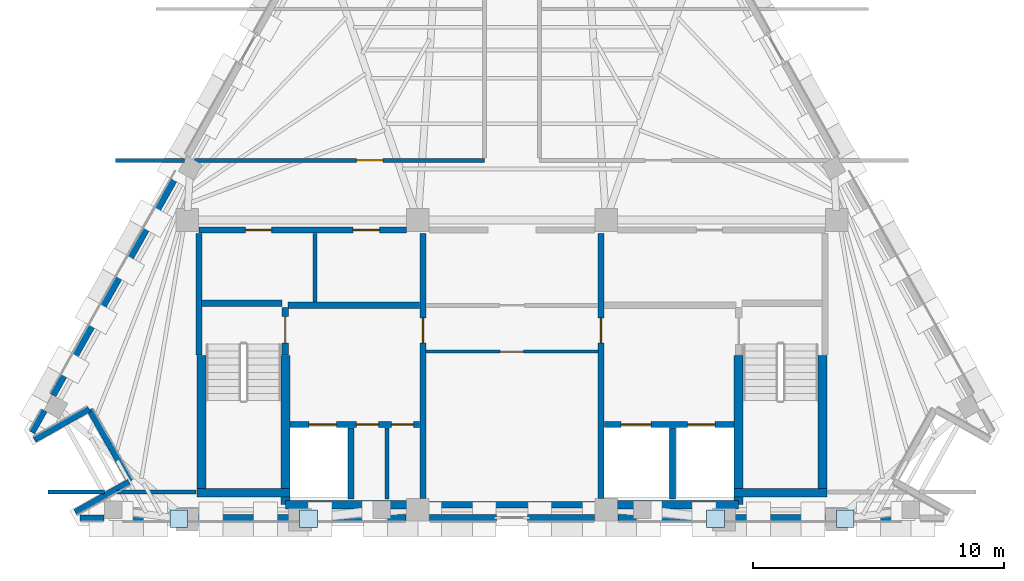
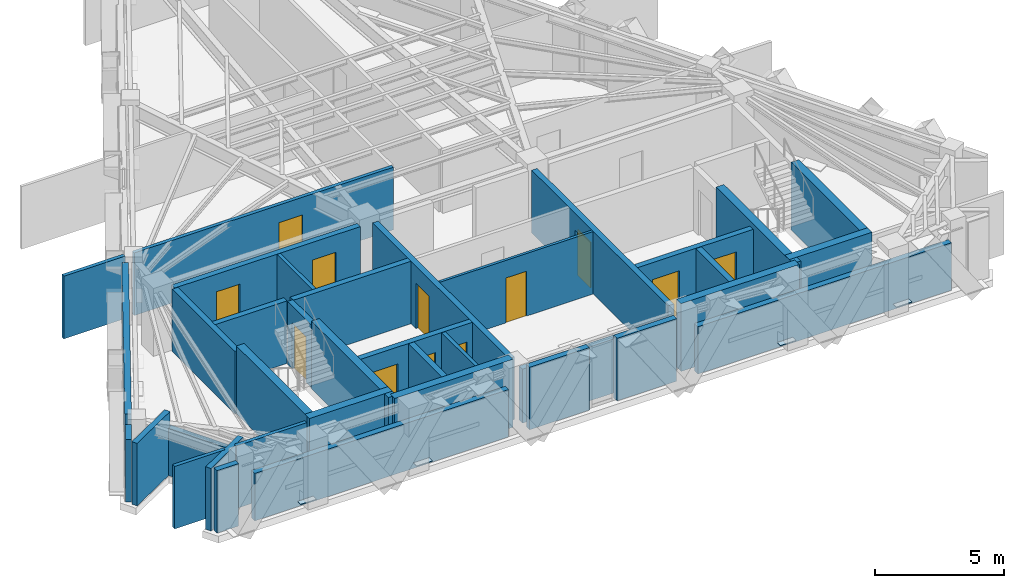
# One storey, part 4 of 7: 37 walls, 12 doors, 4 plates, 12 openings.
"""IFC4 building model written with IfcOpenShell, lengths in metres."""

from ifc_helpers import new_model, si_unit, direction, frame, frame_2d, origin, origin_2d, place, context, subcontext, project, spatial, rectangle, extrude, material, layer, layer_set, type_object, element, fill, save


model = new_model("IFC4")

# Units and contexts
model_context = context("Model", 3, precision=1e-05, world=origin(), true_north=direction((0.0, 1.0)))
body_context = subcontext(model_context, "Body", "Model", "MODEL_VIEW")
ifc_project = project(units=[si_unit("LENGTHUNIT", "METRE"), si_unit("AREAUNIT", "SQUARE_METRE"), si_unit("VOLUMEUNIT", "CUBIC_METRE"), si_unit("PLANEANGLEUNIT", "RADIAN"), si_unit("MASSUNIT", "GRAM", prefix="KILO")], contexts=[model_context])

# Site, building, storey
site_placement = place(None, origin())
site = spatial("IfcSite", under=ifc_project, at=site_placement, CompositionType="ELEMENT")
building_placement = place(site_placement, origin())
building = spatial("IfcBuilding", under=site, at=building_placement, Name="Quenlor Broadcast Tower", CompositionType="ELEMENT")
storey_placement = place(building_placement, frame((0.0, 0.0, 280.5)))
storey = spatial("IfcBuildingStorey", under=building, at=storey_placement, Name="L78", CompositionType="ELEMENT", Elevation=280.5)

# Plates
ifc_material_1 = material(Name="Steel S355", Category="steel")
ifc_layer_1 = layer(ifc_material_1, 0.02490234375)
ifc_layer_set_1 = layer_set([ifc_layer_1], Name="Crown Eaves Transfer Steel S355 Cap Plate 700x700x25")
plate_type = type_object("IfcPlateType", Name="Crown Eaves Transfer Steel S355 Cap Plate 700x700x25", PredefinedType="USERDEFINED", material=ifc_layer_set_1)
for number, where, z_axis, x_axis, name in (
    (1, (-13.286865234375, -16.704345703125, 0.237548828125), (0.0, 0.0, 1.0), (1.0, 0.0, 0.0), "L78 Crown Plant Base Plate CRN1-1"),
    (2, (13.286865234375, -16.704345703125, 0.237548828125), (0.0, 0.0, 1.0), (1.0, 0.0, 0.0), "L78 Crown Plant Base Plate CRN1-2"),
    (3, (-8.112548828125, -16.708740234375, 0.237548828125), (0.0, 0.0, 1.0), (1.0, 0.0, 0.0), "L78 Crown Plant Base Plate CRN1-3"),
    (4, (8.112548828125, -16.708740234375, 0.237548828125), (0.0, 0.0, 1.0), (1.0, 0.0, 0.0), "L78 Crown Plant Base Plate CRN1-4"),
):
    element("IfcPlate", number, at=place(storey_placement, frame(where, z_axis=z_axis, x_axis=x_axis)), inside=storey, type_object=plate_type, Name=name, ObjectType="CAP PLATE", PredefinedType="USERDEFINED", context=body_context, shape_type="SweptSolid", body=[
        extrude(rectangle(XDim=0.699951171875, YDim=0.699951171875, at=origin_2d()), origin(), (0.0, 0.0, 1.0), 0.02490234375),
    ])

# Walls
ifc_material_2 = material(Name="Concrete C50/60", Category="concrete")
ifc_layer_2 = layer(ifc_material_2, 0.35009765625)
ifc_layer_set_2 = layer_set([ifc_layer_2], Name="Core Concrete C50/60 Shear Wall 350")
wall_type_1 = type_object("IfcWallType", Name="Core Concrete C50/60 Shear Wall 350", PredefinedType="SHEAR", material=ifc_layer_set_2)
wall_1_placement = place(storey_placement, frame((-12.550048828125, -15.675048828125, 0.0), z_axis=(0.0, 0.0, 1.0), x_axis=(1.0, 0.0, 0.0)))
element("IfcWall", 5, at=wall_1_placement, inside=storey, type_object=wall_type_1, Name="L78 Core Shear Wall WS-W1", PredefinedType="SHEAR", context=body_context, shape_type="SweptSolid", body=[
    extrude(rectangle(XDim=3.699951171875, YDim=0.35009765625, at=frame_2d((1.85009765625, 0.0))), origin(), (0.0, 0.0, 1.0), 3.199951171875),
])
for number, where, z_axis, x_axis, name in (
    (6, (-9.02490234375, -16.14990234375, 0.0), (0.0, 0.0, 1.0), (1.0, 0.0, 0.0), "L78 Core Shear Wall WS-W2"),
    (7, (3.75, -16.14990234375, 0.0), (0.0, 0.0, 1.0), (1.0, 0.0, 0.0), "L78 Core Shear Wall WS-E1"),
):
    element("IfcWall", number, at=place(storey_placement, frame(where, z_axis=z_axis, x_axis=x_axis)), inside=storey, type_object=wall_type_1, Name=name, PredefinedType="SHEAR", context=body_context, shape_type="SweptSolid", body=[
        extrude(rectangle(XDim=5.27490234375, YDim=0.35009765625, at=frame_2d((2.637451171875, 0.0))), origin(), (0.0, 0.0, 1.0), 3.199951171875),
    ])
wall_2_placement = place(storey_placement, frame((8.85009765625, -15.675048828125, 0.0), z_axis=(0.0, 0.0, 1.0), x_axis=(1.0, 0.0, 0.0)))
element("IfcWall", 8, at=wall_2_placement, inside=storey, type_object=wall_type_1, Name="L78 Core Shear Wall WS-E2", PredefinedType="SHEAR", context=body_context, shape_type="SweptSolid", body=[
    extrude(rectangle(XDim=3.699951171875, YDim=0.35009765625, at=frame_2d((1.85009765625, 0.0))), origin(), (0.0, 0.0, 1.0), 3.199951171875),
])
for number, where, z_axis, x_axis, name in (
    (9, (-12.375, -15.675048828125, 0.0), (0.0, 0.0, 1.0), (0.0, 1.0, 0.0), "L78 Core Shear Wall WF-W"),
    (10, (12.375, -15.675048828125, 0.0), (0.0, 0.0, 1.0), (0.0, 1.0, 0.0), "L78 Core Shear Wall WF-E"),
):
    element("IfcWall", number, at=place(storey_placement, frame(where, z_axis=z_axis, x_axis=x_axis)), inside=storey, type_object=wall_type_1, Name=name, PredefinedType="SHEAR", context=body_context, shape_type="SweptSolid", body=[
        extrude(rectangle(XDim=5.47509765625, YDim=0.35009765625, at=frame_2d((2.737548828125, 0.0))), origin(), (0.0, 0.0, 1.0), 3.199951171875),
    ])
for number, where, z_axis, x_axis, name in (
    (11, (-9.02490234375, -16.14990234375, 0.0), (0.0, 0.0, 1.0), (0.0, 1.0, 0.0), "L78 Core Shear Wall WI-W"),
    (12, (9.02490234375, -16.14990234375, 0.0), (0.0, 0.0, 1.0), (0.0, 1.0, 0.0), "L78 Core Shear Wall WI-E"),
):
    element("IfcWall", number, at=place(storey_placement, frame(where, z_axis=z_axis, x_axis=x_axis)), inside=storey, type_object=wall_type_1, Name=name, PredefinedType="SHEAR", context=body_context, shape_type="SweptSolid", body=[
        extrude(rectangle(XDim=5.949951171875, YDim=0.35009765625, at=frame_2d((2.97509765625, 0.0))), origin(), (0.0, 0.0, 1.0), 3.199951171875),
    ])

# Wall, opening, door
ifc_material_3 = material(Name="Concrete C40/50", Category="concrete")
ifc_layer_3 = layer(ifc_material_3, 0.25)
ifc_layer_set_3 = layer_set([ifc_layer_3], Name="Fire Rated Concrete C40/50 Core Wall 250")
wall_type_2 = type_object("IfcWallType", Name="Fire Rated Concrete C40/50 Core Wall 250", PredefinedType="PARTITIONING", material=ifc_layer_set_3)
wall_3_placement = place(storey_placement, frame((-9.0400390625, -10.179931640625, 0.0), z_axis=(0.0, 0.0, 1.0), x_axis=(0.0, 1.0, 0.0)))
wall_3 = element("IfcWall", 13, at=wall_3_placement, inside=storey, type_object=wall_type_2, Name="L78 Interior Wall CW-ST1-DR", PredefinedType="PARTITIONING", context=body_context, shape_type="SweptSolid", body=[
    extrude(rectangle(XDim=1.89990234375, YDim=0.25, at=frame_2d((0.949951171875, 0.0))), origin(), (0.0, 0.0, 1.0), 2.949951171875),
])
opening_1_placement = place(wall_3_placement, frame((0.47998046875, 0.0, 0.0)))
opening_1 = element("IfcOpeningElement", 14, at=opening_1_placement, cuts=wall_3, Name="Opening FD-1", PredefinedType="OPENING", context=body_context, shape_type="SweptSolid", body=[
    extrude(rectangle(XDim=1.050048828125, YDim=2.14990234375, at=frame_2d((0.52490234375, 1.074951171875))), frame((0.0, 0.135009765625, 0.0), z_axis=(0.0, -1.0, 0.0), x_axis=(1.0, 0.0, 0.0)), (0.0, 0.0, 1.0), 0.27001953125),
])
ifc_material_4 = material(Name="Fire Rated Steel Door Leaf", Category="steel")
door_type_1 = type_object("IfcDoorType", Name="Fire Isolated Stair Door 1050x2150", OperationType="NOTDEFINED", PredefinedType="DOOR", material=ifc_material_4)
door_1_placement = place(opening_1_placement, origin())
door_1 = element("IfcDoor", 15, at=door_1_placement, inside=storey, type_object=door_type_1, Name="L78 Door DR-ST1", OperationType="SINGLE_SWING_LEFT", OverallHeight=2.14990234375, OverallWidth=1.050048828125, PredefinedType="DOOR", context=body_context, shape_type="SweptSolid", body=[
    extrude(rectangle(XDim=1.050048828125, YDim=2.14990234375, at=frame_2d((0.52490234375, 1.074951171875))), frame((0.0, 0.02490234375, 0.0), z_axis=(0.0, -1.0, 0.0), x_axis=(1.0, 0.0, 0.0)), (0.0, 0.0, 1.0), 0.050048828125),
])
fill(opening_1, door_1)

# Walls
wall_4_placement = place(storey_placement, frame((-12.3798828125, -8.1201171875, 0.0), z_axis=(0.0, 0.0, 1.0), x_axis=(1.0, 0.0, 0.0)))
element("IfcWall", 16, at=wall_4_placement, inside=storey, type_object=wall_type_2, Name="L78 Interior Wall CW-ST1-N", PredefinedType="PARTITIONING", context=body_context, shape_type="SweptSolid", body=[
    extrude(rectangle(XDim=3.219970703125, YDim=0.25, at=frame_2d((1.60986328125, 0.0))), origin(), (0.0, 0.0, 1.0), 2.949951171875),
])
wall_5_placement = place(storey_placement, frame((-12.47998046875, -10.179931640625, 0.0), z_axis=(0.0, 0.0, 1.0), x_axis=(0.0, 1.0, 0.0)))
element("IfcWall", 17, at=wall_5_placement, inside=storey, type_object=wall_type_2, Name="L78 Interior Wall CW-ST1-W2", PredefinedType="PARTITIONING", context=body_context, shape_type="SweptSolid", body=[
    extrude(rectangle(XDim=4.83984375, YDim=0.25, at=frame_2d((2.419921875, 0.0))), origin(), (0.0, 0.0, 1.0), 2.949951171875),
])

# Wall, openings, doors
wall_6_placement = place(storey_placement, frame((-8.847900390625, -12.949951171875, 0.0), z_axis=(0.0, 0.0, 1.0), x_axis=(1.0, 0.0, 0.0)))
wall_6 = element("IfcWall", 18, at=wall_6_placement, inside=storey, type_object=wall_type_2, Name="L78 Interior Wall CW-FFW-S", PredefinedType="PARTITIONING", context=body_context, shape_type="SweptSolid", body=[
    extrude(rectangle(XDim=5.16796875, YDim=0.25, at=frame_2d((2.583984375, 0.0))), origin(), (0.0, 0.0, 1.0), 2.949951171875),
])
opening_2_placement = place(wall_6_placement, frame((0.748046875, 0.0, 0.0)))
opening_2 = element("IfcOpeningElement", 19, at=opening_2_placement, cuts=wall_6, Name="Opening LD-FFL-1", PredefinedType="OPENING", context=body_context, shape_type="SweptSolid", body=[
    extrude(rectangle(XDim=1.10009765625, YDim=2.14990234375, at=frame_2d((0.550048828125, 1.074951171875))), frame((0.0, 0.135009765625, 0.0), z_axis=(0.0, -1.0, 0.0), x_axis=(1.0, 0.0, 0.0)), (0.0, 0.0, 1.0), 0.27001953125),
])
opening_3_placement = place(wall_6_placement, frame((2.64794921875, 0.0, 0.0)))
opening_3 = element("IfcOpeningElement", 20, at=opening_3_placement, cuts=wall_6, Name="Opening TD-1", PredefinedType="OPENING", context=body_context, shape_type="SweptSolid", body=[
    extrude(rectangle(XDim=0.8798828125, YDim=2.10009765625, at=frame_2d((0.43994140625, 1.050048828125))), frame((0.0, 0.135009765625, 0.0), z_axis=(0.0, -1.0, 0.0), x_axis=(1.0, 0.0, 0.0)), (0.0, 0.0, 1.0), 0.27001953125),
])
opening_4_placement = place(wall_6_placement, frame((4.048095703125, 0.0, 0.0)))
opening_4 = element("IfcOpeningElement", 21, at=opening_4_placement, cuts=wall_6, Name="Opening TD-1", PredefinedType="OPENING", context=body_context, shape_type="SweptSolid", body=[
    extrude(rectangle(XDim=0.8798828125, YDim=2.10009765625, at=frame_2d((0.43994140625, 1.050048828125))), frame((0.0, 0.135009765625, 0.0), z_axis=(0.0, -1.0, 0.0), x_axis=(1.0, 0.0, 0.0)), (0.0, 0.0, 1.0), 0.27001953125),
])
ifc_material_5 = material(Name="Brushed Stainless Steel", Category="steel")
door_type_2 = type_object("IfcDoorType", Name="Emergency Lift Sliding Landing Door 1100x2150", OperationType="NOTDEFINED", PredefinedType="DOOR", material=ifc_material_5)
door_2_placement = place(opening_2_placement, origin())
door_2 = element("IfcDoor", 22, at=door_2_placement, inside=storey, type_object=door_type_2, Name="L78 Door LD-FFL-1", OperationType="SLIDING_TO_LEFT", OverallHeight=2.14990234375, OverallWidth=1.10009765625, PredefinedType="DOOR", context=body_context, shape_type="SweptSolid", body=[
    extrude(rectangle(XDim=1.10009765625, YDim=2.14990234375, at=frame_2d((0.550048828125, 1.074951171875))), frame((0.0, 0.02490234375, 0.0), z_axis=(0.0, -1.0, 0.0), x_axis=(1.0, 0.0, 0.0)), (0.0, 0.0, 1.0), 0.050048828125),
])
fill(opening_2, door_2)
ifc_material_6 = material(Name="Fire Rated Steel Access Panel", Category="steel")
door_type_3 = type_object("IfcDoorType", Name="Riser Shaft Rated Access Trapdoor 880x2100", OperationType="NOTDEFINED", PredefinedType="TRAPDOOR", material=ifc_material_6)
door_3_placement = place(opening_3_placement, origin())
door_3 = element("IfcDoor", 23, at=door_3_placement, inside=storey, type_object=door_type_3, Name="L78 Door DR-ELR", OperationType="SINGLE_SWING_LEFT", OverallHeight=2.10009765625, OverallWidth=0.8798828125, PredefinedType="TRAPDOOR", context=body_context, shape_type="SweptSolid", body=[
    extrude(rectangle(XDim=0.8798828125, YDim=2.10009765625, at=frame_2d((0.43994140625, 1.050048828125))), frame((0.0, 0.02490234375, 0.0), z_axis=(0.0, -1.0, 0.0), x_axis=(1.0, 0.0, 0.0)), (0.0, 0.0, 1.0), 0.050048828125),
])
fill(opening_3, door_3)
door_4_placement = place(opening_4_placement, origin())
door_4 = element("IfcDoor", 24, at=door_4_placement, inside=storey, type_object=door_type_3, Name="L78 Door DR-CMR", OperationType="SINGLE_SWING_RIGHT", OverallHeight=2.10009765625, OverallWidth=0.8798828125, PredefinedType="TRAPDOOR", context=body_context, shape_type="SweptSolid", body=[
    extrude(rectangle(XDim=0.8798828125, YDim=2.10009765625, at=frame_2d((0.43994140625, 1.050048828125))), frame((0.0, 0.02490234375, 0.0), z_axis=(0.0, -1.0, 0.0), x_axis=(1.0, 0.0, 0.0)), (0.0, 0.0, 1.0), 0.050048828125),
])
fill(opening_4, door_4)

wall_7_placement = place(storey_placement, frame((3.679931640625, -12.949951171875, 0.0), z_axis=(0.0, 0.0, 1.0), x_axis=(1.0, 0.0, 0.0)))
wall_7 = element("IfcWall", 25, at=wall_7_placement, inside=storey, type_object=wall_type_2, Name="L78 Interior Wall CW-FFE-S", PredefinedType="PARTITIONING", context=body_context, shape_type="SweptSolid", body=[
    extrude(rectangle(XDim=5.16796875, YDim=0.25, at=frame_2d((2.583984375, 0.0))), origin(), (0.0, 0.0, 1.0), 2.949951171875),
])
opening_5_placement = place(wall_7_placement, frame((3.320068359375, 0.0, 0.0)))
opening_5 = element("IfcOpeningElement", 26, at=opening_5_placement, cuts=wall_7, Name="Opening LD-FFL-2", PredefinedType="OPENING", context=body_context, shape_type="SweptSolid", body=[
    extrude(rectangle(XDim=1.10009765625, YDim=2.14990234375, at=frame_2d((0.550048828125, 1.074951171875))), frame((0.0, 0.135009765625, 0.0), z_axis=(0.0, -1.0, 0.0), x_axis=(1.0, 0.0, 0.0)), (0.0, 0.0, 1.0), 0.27001953125),
])
opening_6_placement = place(wall_7_placement, frame((0.669921875, 0.0, 0.0)))
opening_6 = element("IfcOpeningElement", 27, at=opening_6_placement, cuts=wall_7, Name="Opening LD-SVL-1", PredefinedType="OPENING", context=body_context, shape_type="SweptSolid", body=[
    extrude(rectangle(XDim=1.199951171875, YDim=2.14990234375, at=frame_2d((0.60009765625, 1.074951171875))), frame((0.0, 0.135009765625, 0.0), z_axis=(0.0, -1.0, 0.0), x_axis=(1.0, 0.0, 0.0)), (0.0, 0.0, 1.0), 0.27001953125),
])
door_5_placement = place(opening_5_placement, origin())
door_5 = element("IfcDoor", 28, at=door_5_placement, inside=storey, type_object=door_type_2, Name="L78 Door LD-FFL-2", OperationType="SLIDING_TO_RIGHT", OverallHeight=2.14990234375, OverallWidth=1.10009765625, PredefinedType="DOOR", context=body_context, shape_type="SweptSolid", body=[
    extrude(rectangle(XDim=1.10009765625, YDim=2.14990234375, at=frame_2d((0.550048828125, 1.074951171875))), frame((0.0, 0.02490234375, 0.0), z_axis=(0.0, -1.0, 0.0), x_axis=(1.0, 0.0, 0.0)), (0.0, 0.0, 1.0), 0.050048828125),
])
fill(opening_5, door_5)
ifc_material_7 = material(Name="Brushed Stainless Steel", Category="steel")
door_type_4 = type_object("IfcDoorType", Name="Goods Lift Sliding Landing Door 1200x2150", OperationType="NOTDEFINED", PredefinedType="DOOR", material=ifc_material_7)
door_6_placement = place(opening_6_placement, origin())
door_6 = element("IfcDoor", 29, at=door_6_placement, inside=storey, type_object=door_type_4, Name="L78 Door LD-SVL-1", OperationType="SLIDING_TO_LEFT", OverallHeight=2.14990234375, OverallWidth=1.199951171875, PredefinedType="DOOR", context=body_context, shape_type="SweptSolid", body=[
    extrude(rectangle(XDim=1.199951171875, YDim=2.14990234375, at=frame_2d((0.60009765625, 1.074951171875))), frame((0.0, 0.02490234375, 0.0), z_axis=(0.0, -1.0, 0.0), x_axis=(1.0, 0.0, 0.0)), (0.0, 0.0, 1.0), 0.050048828125),
])
fill(opening_6, door_6)

# Walls
for number, where, z_axis, x_axis, name in (
    (30, (-6.419921875, -15.919921875, 0.0), (0.0, 0.0, 1.0), (0.0, 1.0, 0.0), "L78 Interior Wall CW-FF1-E"),
    (31, (6.39990234375, -15.919921875, 0.0), (0.0, 0.0, 1.0), (0.0, 1.0, 0.0), "L78 Interior Wall CW-SV1-E"),
):
    element("IfcWall", number, at=place(storey_placement, frame(where, z_axis=z_axis, x_axis=x_axis)), inside=storey, type_object=wall_type_2, Name=name, PredefinedType="PARTITIONING", context=body_context, shape_type="SweptSolid", body=[
        extrude(rectangle(XDim=2.829833984375, YDim=0.25, at=frame_2d((1.4150390625, 0.0))), origin(), (0.0, 0.0, 1.0), 2.949951171875),
    ])
wall_8_placement = place(storey_placement, frame((-8.919921875, -8.199951171875, 0.0), z_axis=(0.0, 0.0, 1.0), x_axis=(1.0, 0.0, 0.0)))
element("IfcWall", 32, at=wall_8_placement, inside=storey, type_object=wall_type_2, Name="L78 Interior Wall CW-FFW-N", PredefinedType="PARTITIONING", context=body_context, shape_type="SweptSolid", body=[
    extrude(rectangle(XDim=5.239990234375, YDim=0.25, at=frame_2d((2.6201171875, 0.0))), origin(), (0.0, 0.0, 1.0), 2.949951171875),
])

# Wall, opening, door
wall_9_placement = place(storey_placement, frame((-3.550048828125, -15.89794921875, 0.0), z_axis=(0.0, 0.0, 1.0), x_axis=(0.0, 1.0, 0.0)))
wall_9 = element("IfcWall", 33, at=wall_9_placement, inside=storey, type_object=wall_type_2, Name="L78 Interior Wall CW-FFW-E", PredefinedType="PARTITIONING", context=body_context, shape_type="SweptSolid", body=[
    extrude(rectangle(XDim=10.557861328125, YDim=0.25, at=frame_2d((5.27880859375, 0.0))), origin(), (0.0, 0.0, 1.0), 2.949951171875),
])
opening_7_placement = place(wall_9_placement, frame((6.197998046875, 0.0, 0.0)))
opening_7 = element("IfcOpeningElement", 34, at=opening_7_placement, cuts=wall_9, Name="Opening FD-2", PredefinedType="OPENING", context=body_context, shape_type="SweptSolid", body=[
    extrude(rectangle(XDim=1.0, YDim=2.14990234375, at=frame_2d((0.5, 1.074951171875))), frame((0.0, 0.135009765625, 0.0), z_axis=(0.0, -1.0, 0.0), x_axis=(1.0, 0.0, 0.0)), (0.0, 0.0, 1.0), 0.27001953125),
])
ifc_material_8 = material(Name="Fire Rated Glazed Steel Door", Category="steel")
door_type_5 = type_object("IfcDoorType", Name="Firefighting Lobby Smoke Door 1000x2150", OperationType="NOTDEFINED", PredefinedType="DOOR", material=ifc_material_8)
door_7_placement = place(opening_7_placement, origin())
door_7 = element("IfcDoor", 35, at=door_7_placement, inside=storey, type_object=door_type_5, Name="L78 Door DR-FFLW", OperationType="SINGLE_SWING_RIGHT", OverallHeight=2.14990234375, OverallWidth=1.0, PredefinedType="DOOR", context=body_context, shape_type="SweptSolid", body=[
    extrude(rectangle(XDim=1.0, YDim=2.14990234375, at=frame_2d((0.5, 1.074951171875))), frame((0.0, 0.02490234375, 0.0), z_axis=(0.0, -1.0, 0.0), x_axis=(1.0, 0.0, 0.0)), (0.0, 0.0, 1.0), 0.050048828125),
])
fill(opening_7, door_7)

wall_10_placement = place(storey_placement, frame((3.550048828125, -15.89794921875, 0.0), z_axis=(0.0, 0.0, 1.0), x_axis=(0.0, 1.0, 0.0)))
wall_10 = element("IfcWall", 36, at=wall_10_placement, inside=storey, type_object=wall_type_2, Name="L78 Interior Wall CW-FFE-W", PredefinedType="PARTITIONING", context=body_context, shape_type="SweptSolid", body=[
    extrude(rectangle(XDim=10.557861328125, YDim=0.25, at=frame_2d((5.27880859375, 0.0))), origin(), (0.0, 0.0, 1.0), 2.949951171875),
])
opening_8_placement = place(wall_10_placement, frame((6.197998046875, 0.0, 0.0)))
opening_8 = element("IfcOpeningElement", 37, at=opening_8_placement, cuts=wall_10, Name="Opening FD-2", PredefinedType="OPENING", context=body_context, shape_type="SweptSolid", body=[
    extrude(rectangle(XDim=1.0, YDim=2.14990234375, at=frame_2d((0.5, 1.074951171875))), frame((0.0, 0.135009765625, 0.0), z_axis=(0.0, -1.0, 0.0), x_axis=(1.0, 0.0, 0.0)), (0.0, 0.0, 1.0), 0.27001953125),
])
door_8_placement = place(opening_8_placement, origin())
door_8 = element("IfcDoor", 38, at=door_8_placement, inside=storey, type_object=door_type_5, Name="L78 Door DR-FFLE", OperationType="SINGLE_SWING_LEFT", OverallHeight=2.14990234375, OverallWidth=1.0, PredefinedType="DOOR", context=body_context, shape_type="SweptSolid", body=[
    extrude(rectangle(XDim=1.0, YDim=2.14990234375, at=frame_2d((0.5, 1.074951171875))), frame((0.0, 0.02490234375, 0.0), z_axis=(0.0, -1.0, 0.0), x_axis=(1.0, 0.0, 0.0)), (0.0, 0.0, 1.0), 0.050048828125),
])
fill(opening_8, door_8)

# Wall, openings, doors
wall_11_placement = place(storey_placement, frame((-12.47998046875, -5.199951171875, 0.0), z_axis=(0.0, 0.0, 1.0), x_axis=(1.0, 0.0, 0.0)))
wall_11 = element("IfcWall", 39, at=wall_11_placement, inside=storey, type_object=wall_type_2, Name="L78 Interior Wall CW-N-W", PredefinedType="PARTITIONING", context=body_context, shape_type="SweptSolid", body=[
    extrude(rectangle(XDim=8.278076171875, YDim=0.25, at=frame_2d((4.13916015625, 0.0))), origin(), (0.0, 0.0, 1.0), 2.949951171875),
])
opening_9_placement = place(wall_11_placement, frame((1.85009765625, 0.0, 0.0)))
opening_9 = element("IfcOpeningElement", 40, at=opening_9_placement, cuts=wall_11, Name="Opening FD-3", PredefinedType="OPENING", context=body_context, shape_type="SweptSolid", body=[
    extrude(rectangle(XDim=1.050048828125, YDim=2.1201171875, at=frame_2d((0.52490234375, 1.06005859375))), frame((0.0, 0.135009765625, 0.0), z_axis=(0.0, -1.0, 0.0), x_axis=(1.0, 0.0, 0.0)), (0.0, 0.0, 1.0), 0.27001953125),
])
opening_10_placement = place(wall_11_placement, frame((6.14990234375, 0.0, 0.0)))
opening_10 = element("IfcOpeningElement", 41, at=opening_10_placement, cuts=wall_11, Name="Opening FD-3", PredefinedType="OPENING", context=body_context, shape_type="SweptSolid", body=[
    extrude(rectangle(XDim=1.050048828125, YDim=2.1201171875, at=frame_2d((0.52490234375, 1.06005859375))), frame((0.0, 0.135009765625, 0.0), z_axis=(0.0, -1.0, 0.0), x_axis=(1.0, 0.0, 0.0)), (0.0, 0.0, 1.0), 0.27001953125),
])
ifc_material_9 = material(Name="Galvanised Fire Steel Leaf", Category="steel")
door_type_6 = type_object("IfcDoorType", Name="Plant Room Fire Rated Door 1050x2120", OperationType="NOTDEFINED", PredefinedType="DOOR", material=ifc_material_9)
door_9_placement = place(opening_9_placement, origin())
door_9 = element("IfcDoor", 42, at=door_9_placement, inside=storey, type_object=door_type_6, Name="L78 Door DR-RCL1", OperationType="SINGLE_SWING_LEFT", OverallHeight=2.1201171875, OverallWidth=1.050048828125, PredefinedType="DOOR", context=body_context, shape_type="SweptSolid", body=[
    extrude(rectangle(XDim=1.050048828125, YDim=2.1201171875, at=frame_2d((0.52490234375, 1.06005859375))), frame((0.0, 0.02490234375, 0.0), z_axis=(0.0, -1.0, 0.0), x_axis=(1.0, 0.0, 0.0)), (0.0, 0.0, 1.0), 0.050048828125),
])
fill(opening_9, door_9)
door_10_placement = place(opening_10_placement, origin())
door_10 = element("IfcDoor", 43, at=door_10_placement, inside=storey, type_object=door_type_6, Name="L78 Door DR-RCL2", OperationType="SINGLE_SWING_RIGHT", OverallHeight=2.1201171875, OverallWidth=1.050048828125, PredefinedType="DOOR", context=body_context, shape_type="SweptSolid", body=[
    extrude(rectangle(XDim=1.050048828125, YDim=2.1201171875, at=frame_2d((0.52490234375, 1.06005859375))), frame((0.0, 0.02490234375, 0.0), z_axis=(0.0, -1.0, 0.0), x_axis=(1.0, 0.0, 0.0)), (0.0, 0.0, 1.0), 0.050048828125),
])
fill(opening_10, door_10)

# Walls
wall_12_placement = place(storey_placement, frame((-3.298095703125, -16.14990234375, 0.0), z_axis=(0.0, 0.0, 1.0), x_axis=(1.0, 0.0, 0.0)))
element("IfcWall", 44, at=wall_12_placement, inside=storey, type_object=wall_type_2, Name="L78 Interior Wall CW-MS-S", PredefinedType="PARTITIONING", context=body_context, shape_type="SweptSolid", body=[
    extrude(rectangle(XDim=6.59619140625, YDim=0.25, at=frame_2d((3.298095703125, 0.0))), origin(), (0.0, 0.0, 1.0), 2.543701171875),
])
ifc_material_10 = material(Name="Gypsum Fireboard Partition", Category="other")
ifc_layer_4 = layer(ifc_material_10, 0.159912109375)
ifc_layer_set_4 = layer_set([ifc_layer_4], Name="Fire Rated Shaft and Corridor Partition 160")
wall_type_3 = type_object("IfcWallType", Name="Fire Rated Shaft and Corridor Partition 160", PredefinedType="PARTITIONING", material=ifc_layer_set_4)
wall_13_placement = place(storey_placement, frame((-4.97998046875, -15.919921875, 0.0), z_axis=(0.0, 0.0, 1.0), x_axis=(0.0, 1.0, 0.0)))
element("IfcWall", 45, at=wall_13_placement, inside=storey, type_object=wall_type_3, Name="L78 Interior Wall CW-ELR-E", PredefinedType="PARTITIONING", context=body_context, shape_type="SweptSolid", body=[
    extrude(rectangle(XDim=2.829833984375, YDim=0.159912109375, at=frame_2d((1.4150390625, 0.0))), origin(), (0.0, 0.0, 1.0), 2.949951171875),
])
wall_14_placement = place(storey_placement, frame((-7.85009765625, -8.072998046875, 0.0), z_axis=(0.0, 0.0, 1.0), x_axis=(0.0, 1.0, 0.0)))
element("IfcWall", 46, at=wall_14_placement, inside=storey, type_object=wall_type_3, Name="L78 Interior Wall CW-RCL-MID", PredefinedType="PARTITIONING", context=body_context, shape_type="SweptSolid", body=[
    extrude(rectangle(XDim=2.73291015625, YDim=0.159912109375, at=frame_2d((1.366455078125, 0.0))), origin(), (0.0, 0.0, 1.0), 2.949951171875),
])
wall_15_placement = place(storey_placement, frame((-18.5, -15.64990234375, 0.0), z_axis=(0.0, 0.0, 1.0), x_axis=(1.0, 0.0, 0.0)))
element("IfcWall", 47, at=wall_15_placement, inside=storey, type_object=wall_type_3, Name="L78 Interior Wall PW-PL-SBOTW", PredefinedType="PARTITIONING", context=body_context, shape_type="SweptSolid", body=[
    extrude(rectangle(XDim=2.259521484375, YDim=0.159912109375, at=frame_2d((1.1298828125, 0.0))), origin(), (0.0, 0.0, 1.0), 2.949951171875),
])
wall_16_placement = place(storey_placement, frame((-15.742919921875, -15.64990234375, 0.0), z_axis=(0.0, 0.0, 1.0), x_axis=(1.0, 0.0, 0.0)))
element("IfcWall", 48, at=wall_16_placement, inside=storey, type_object=wall_type_3, Name="L78 Interior Wall PW-PL-SBOTWS2", PredefinedType="PARTITIONING", context=body_context, shape_type="SweptSolid", body=[
    extrude(rectangle(XDim=3.142822265625, YDim=0.159912109375, at=frame_2d((1.5712890625, 0.0))), origin(), (0.0, 0.0, 1.0), 2.949951171875),
])
wall_17_placement = place(storey_placement, frame((-15.800048828125, -2.419921875, 0.0), z_axis=(0.0, 0.0, 1.0), x_axis=(1.0, 0.0, 0.0)))
element("IfcWall", 49, at=wall_17_placement, inside=storey, type_object=wall_type_3, Name="L78 Interior Wall PW-PL-HW", PredefinedType="PARTITIONING", context=body_context, shape_type="SweptSolid", body=[
    extrude(rectangle(XDim=2.7431640625, YDim=0.159912109375, at=frame_2d((1.37158203125, 0.0))), origin(), (0.0, 0.0, 1.0), 2.949951171875),
])

# Wall, opening, door
wall_18_placement = place(storey_placement, frame((-12.65283203125, -2.419921875, 0.0), z_axis=(0.0, 0.0, 1.0), x_axis=(1.0, 0.0, 0.0)))
wall_18 = element("IfcWall", 50, at=wall_18_placement, inside=storey, type_object=wall_type_3, Name="L78 Interior Wall PW-PL-HWS2", PredefinedType="PARTITIONING", context=body_context, shape_type="SweptSolid", body=[
    extrude(rectangle(XDim=11.552734375, YDim=0.159912109375, at=frame_2d((5.7763671875, 0.0))), origin(), (0.0, 0.0, 1.0), 2.949951171875),
])
opening_11_placement = place(wall_18_placement, frame((6.452880859375, 0.0, 0.0)))
opening_11 = element("IfcOpeningElement", 51, at=opening_11_placement, cuts=wall_18, Name="Opening FD-3", PredefinedType="OPENING", context=body_context, shape_type="SweptSolid", body=[
    extrude(rectangle(XDim=1.050048828125, YDim=2.1201171875, at=frame_2d((0.52490234375, 1.06005859375))), frame((0.0, 0.08984375, 0.0), z_axis=(0.0, -1.0, 0.0), x_axis=(1.0, 0.0, 0.0)), (0.0, 0.0, 1.0), 0.179931640625),
])
door_11_placement = place(opening_11_placement, origin())
door_11 = element("IfcDoor", 52, at=door_11_placement, inside=storey, type_object=door_type_6, Name="L78 Door DR-PLT1", OperationType="SINGLE_SWING_LEFT", OverallHeight=2.1201171875, OverallWidth=1.050048828125, PredefinedType="DOOR", context=body_context, shape_type="SweptSolid", body=[
    extrude(rectangle(XDim=1.050048828125, YDim=2.1201171875, at=frame_2d((0.52490234375, 1.06005859375))), frame((0.0, 0.02490234375, 0.0), z_axis=(0.0, -1.0, 0.0), x_axis=(1.0, 0.0, 0.0)), (0.0, 0.0, 1.0), 0.050048828125),
])
fill(opening_11, door_11)

ifc_material_11 = material(Name="Gypsum Plasterboard Partition", Category="other")
ifc_layer_5 = layer(ifc_material_11, 0.1201171875)
ifc_layer_set_5 = layer_set([ifc_layer_5], Name="Standard Office Partition 120")
wall_type_4 = type_object("IfcWallType", Name="Standard Office Partition 120", PredefinedType="PARTITIONING", material=ifc_layer_set_5)
wall_19_placement = place(storey_placement, frame((-3.419921875, -10.050048828125, 0.0), z_axis=(0.0, 0.0, 1.0), x_axis=(1.0, 0.0, 0.0)))
wall_19 = element("IfcWall", 53, at=wall_19_placement, inside=storey, type_object=wall_type_4, Name="L78 Interior Wall CW-MS-N", PredefinedType="PARTITIONING", context=body_context, shape_type="SweptSolid", body=[
    extrude(rectangle(XDim=6.83984375, YDim=0.1201171875, at=frame_2d((3.419921875, 0.0))), origin(), (0.0, 0.0, 1.0), 2.949951171875),
])
opening_12_placement = place(wall_19_placement, frame((2.949951171875, 0.0, 0.0)))
opening_12 = element("IfcOpeningElement", 54, at=opening_12_placement, cuts=wall_19, Name="Opening ID-1", PredefinedType="OPENING", context=body_context, shape_type="SweptSolid", body=[
    extrude(rectangle(XDim=0.919921875, YDim=2.1201171875, at=frame_2d((0.4599609375, 1.06005859375))), frame((0.0, 0.070068359375, 0.0), z_axis=(0.0, -1.0, 0.0), x_axis=(1.0, 0.0, 0.0)), (0.0, 0.0, 1.0), 0.14013671875),
])
ifc_material_12 = material(Name="Solid Core Timber Oak", Category="wood")
door_type_7 = type_object("IfcDoorType", Name="Single Leaf Timber Office Door 920x2120", OperationType="NOTDEFINED", PredefinedType="DOOR", material=ifc_material_12)
door_12_placement = place(opening_12_placement, origin())
door_12 = element("IfcDoor", 55, at=door_12_placement, inside=storey, type_object=door_type_7, Name="L78 Door DR-RCMA", OperationType="SINGLE_SWING_LEFT", OverallHeight=2.1201171875, OverallWidth=0.919921875, PredefinedType="DOOR", context=body_context, shape_type="SweptSolid", body=[
    extrude(rectangle(XDim=0.919921875, YDim=2.1201171875, at=frame_2d((0.4599609375, 1.06005859375))), frame((0.0, 0.02490234375, 0.0), z_axis=(0.0, -1.0, 0.0), x_axis=(1.0, 0.0, 0.0)), (0.0, 0.0, 1.0), 0.050048828125),
])
fill(opening_12, door_12)

# Walls
ifc_material_13 = material(Name="Precast concrete C40/50", Category="concrete")
ifc_layer_6 = layer(ifc_material_13, 0.239990234375)
ifc_layer_set_6 = layer_set([ifc_layer_6], Name="Terrace Threshold Precast Concrete C40/50 Wall 240")
wall_type_5 = type_object("IfcWallType", Name="Terrace Threshold Precast Concrete C40/50 Wall 240", PredefinedType="STANDARD", material=ifc_layer_set_6)
wall_20_placement = place(storey_placement, frame((-16.252685546875, -16.675048828125, 0.0), z_axis=(0.0, 0.0, 1.0), x_axis=(-1.0, 0.0, 0.0)))
element("IfcWall", 56, at=wall_20_placement, inside=storey, type_object=wall_type_5, Name="L78 Exterior Wall L78-SHD-SS1", PredefinedType="STANDARD", context=body_context, shape_type="SweptSolid", body=[
    extrude(rectangle(XDim=0.96728515625, YDim=0.239990234375, at=frame_2d((0.483642578125, 0.0))), origin(), (0.0, 0.0, 1.0), 2.949951171875),
])
wall_21_placement = place(storey_placement, frame((-19.127197265625, -13.26708984375, 0.0), z_axis=(0.0, 0.0, 1.0), x_axis=(0.490261239633, 0.871575537125, 0.0)))
element("IfcWall", 57, at=wall_21_placement, inside=storey, type_object=wall_type_5, Name="L78 Exterior Wall L78-SHD-NWS0", PredefinedType="STANDARD", context=body_context, shape_type="SweptSolid", body=[
    extrude(rectangle(XDim=0.994873046875, YDim=0.239990234375, at=frame_2d((0.49755859375, 0.0))), origin(), (0.0, 0.0, 1.0), 2.949951171875),
])
wall_22_placement = place(storey_placement, frame((-19.033447265625, -13.556396484375, 0.0), z_axis=(0.0, 0.0, 1.0), x_axis=(0.871588577066, 0.490238056792, 0.0)))
element("IfcWall", 58, at=wall_22_placement, inside=storey, type_object=wall_type_5, Name="L78 Exterior Wall L78-CNR-13", PredefinedType="STANDARD", context=body_context, shape_type="SweptSolid", body=[
    extrude(rectangle(XDim=2.5, YDim=0.239990234375, at=frame_2d((1.25, 0.0))), origin(), (0.0, 0.0, 1.0), 2.949951171875),
])
wall_23_placement = place(storey_placement, frame((-16.8349609375, -12.36572265625, 0.0), z_axis=(0.0, 0.0, 1.0), x_axis=(0.490293083368, -0.871557624258, 0.0)))
element("IfcWall", 59, at=wall_23_placement, inside=storey, type_object=wall_type_5, Name="L78 Exterior Wall L78-CNR-14", PredefinedType="STANDARD", context=body_context, shape_type="SweptSolid", body=[
    extrude(rectangle(XDim=3.276123046875, YDim=0.239990234375, at=frame_2d((1.63818359375, 0.0))), origin(), (0.0, 0.0, 1.0), 2.23388671875),
])
wall_24_placement = place(storey_placement, frame((-15.263671875, -15.240478515625, 0.0), z_axis=(0.0, 0.0, 1.0), x_axis=(-0.87157023615, -0.490270663468, 0.0)))
element("IfcWall", 60, at=wall_24_placement, inside=storey, type_object=wall_type_5, Name="L78 Exterior Wall L78-CNR-15", PredefinedType="STANDARD", context=body_context, shape_type="SweptSolid", body=[
    extrude(rectangle(XDim=2.4599609375, YDim=0.239990234375, at=frame_2d((1.22998046875, 0.0))), origin(), (0.0, 0.0, 1.0), 2.949951171875),
])
ifc_material_14 = material(Name="Precast concrete C40/50", Category="concrete")
ifc_layer_7 = layer(ifc_material_14, 0.260009765625)
ifc_layer_set_7 = layer_set([ifc_layer_7], Name="Terracotta Precast Concrete C40/50 Upper Wall 260")
wall_type_6 = type_object("IfcWallType", Name="Terracotta Precast Concrete C40/50 Upper Wall 260", PredefinedType="STANDARD", material=ifc_layer_set_7)
for number, where, z_axis, x_axis, name in (
    (61, (15.54248046875, -16.675048828125, 0.0), (0.0, 0.0, 1.0), (-1.0, 0.0, 0.0), "L78 Exterior Wall L78-EW-SA"),
    (62, (-4.219970703125, -16.675048828125, 0.0), (0.0, 0.0, 1.0), (-1.0, 0.0, 0.0), "L78 Exterior Wall L78-EW-SC"),
):
    element("IfcWall", number, at=place(storey_placement, frame(where, z_axis=z_axis, x_axis=x_axis)), inside=storey, type_object=wall_type_6, Name=name, PredefinedType="STANDARD", context=body_context, shape_type="SweptSolid", body=[
        extrude(rectangle(XDim=11.322509765625, YDim=0.260009765625, at=frame_2d((5.6611328125, 0.0))), origin(), (0.0, 0.0, 1.0), 2.23388671875),
    ])
for number, where, z_axis, x_axis, name in (
    (63, (3.280029296875, -16.675048828125, 0.0), (0.0, 0.0, 1.0), (-1.0, 0.0, 0.0), "L78 Exterior Wall L78-S-SP1"),
    (64, (-0.614990234375, -16.675048828125, 0.0), (0.0, 0.0, 1.0), (-1.0, 0.0, 0.0), "L78 Exterior Wall L78-S-SP2"),
):
    element("IfcWall", number, at=place(storey_placement, frame(where, z_axis=z_axis, x_axis=x_axis)), inside=storey, type_object=wall_type_6, Name=name, PredefinedType="STANDARD", context=body_context, shape_type="SweptSolid", body=[
        extrude(rectangle(XDim=2.6650390625, YDim=0.260009765625, at=frame_2d((1.33251953125, 0.0))), origin(), (0.0, 0.0, 1.0), 2.949951171875),
    ])
wall_25_placement = place(storey_placement, frame((-18.29150390625, -11.781005859375, 0.0), z_axis=(0.0, 0.0, 1.0), x_axis=(0.490270316201, 0.871570431492, 0.0)))
element("IfcWall", 65, at=wall_25_placement, inside=storey, type_object=wall_type_6, Name="L78 Exterior Wall L78-EW-NWA", PredefinedType="STANDARD", context=body_context, shape_type="SweptSolid", body=[
    extrude(rectangle(XDim=10.21630859375, YDim=0.260009765625, at=frame_2d((5.108154296875, 0.0))), origin(), (0.0, 0.0, 1.0), 2.949951171875),
])

save(model, "model.ifc")
